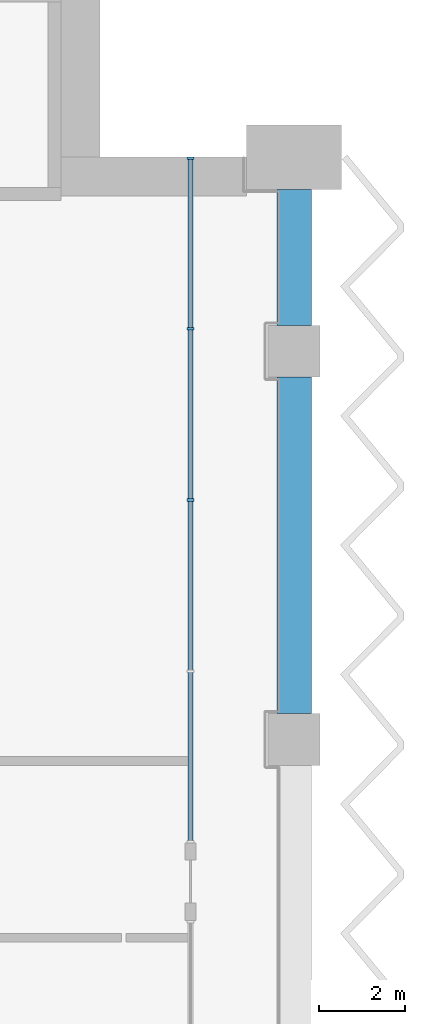
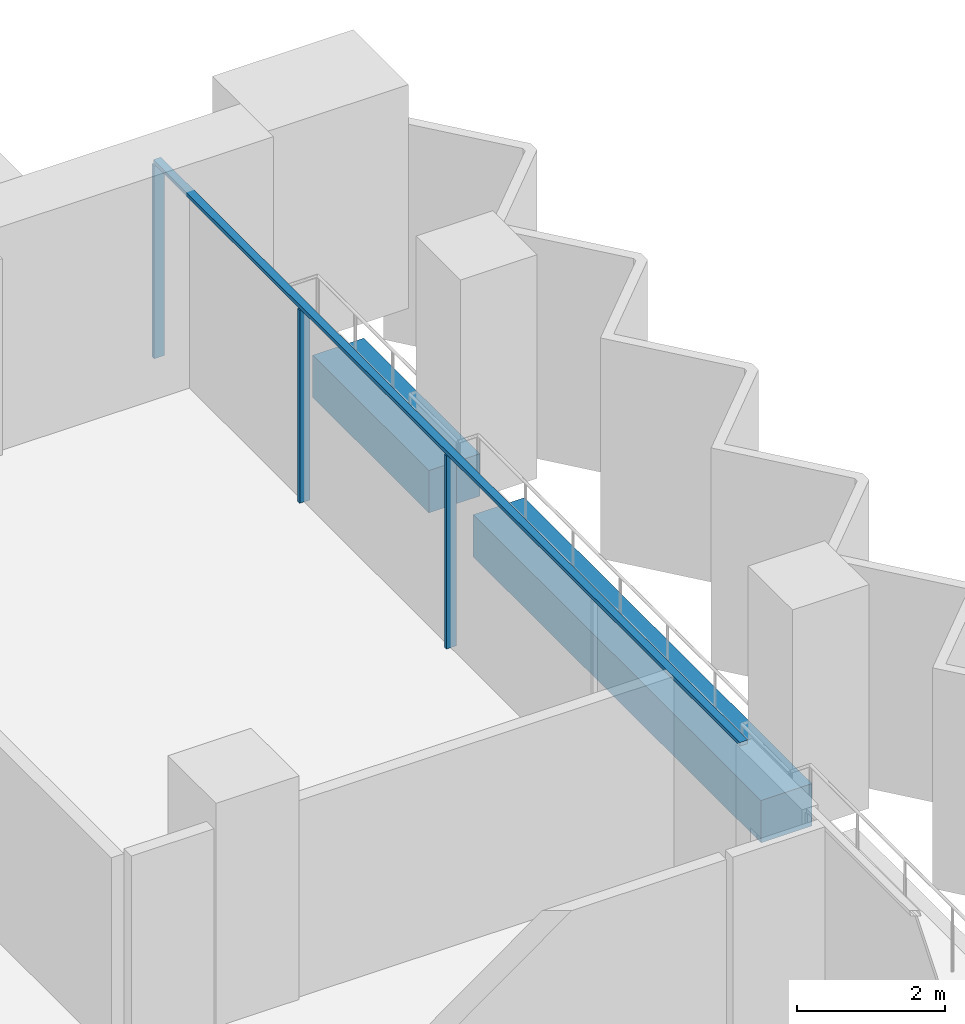
# One storey, part 6 of 23: 4 members, 2 beams, 1 element without a shape of its own.
"""IFC4 building model written with IfcOpenShell, lengths in metres."""

from ifc_helpers import new_model, si_unit, direction, frame, origin, origin_2d, place, context, subcontext, project, spatial, rectangle, extrude, material, material_profile, profile_set, type_object, element, aggregate, save


model = new_model("IFC4")

# Units and contexts
model_context = context("Model", 3, precision=1e-05, world=origin(), true_north=direction((0.0, 1.0)))
body_context = subcontext(model_context, "Body", "Model", "MODEL_VIEW")
ifc_project = project(units=[si_unit("LENGTHUNIT", "METRE"), si_unit("AREAUNIT", "SQUARE_METRE"), si_unit("VOLUMEUNIT", "CUBIC_METRE"), si_unit("PLANEANGLEUNIT", "RADIAN"), si_unit("MASSUNIT", "GRAM", prefix="KILO")], contexts=[model_context])

# Site, building, storey
site_placement = place(None, origin())
site = spatial("IfcSite", under=ifc_project, at=site_placement, CompositionType="ELEMENT")
building_placement = place(site_placement, origin())
building = spatial("IfcBuilding", under=site, at=building_placement, Name="Hunhe Ridgeline Campus", CompositionType="ELEMENT")
storey_placement = place(building_placement, frame((0.0, 0.0, 125.5)))
storey = spatial("IfcBuildingStorey", under=building, at=storey_placement, Name="L31", CompositionType="ELEMENT", Elevation=125.5)

# Curtain wall, members
ifc_material_1 = material(Name="Aluminium 6063", Category="aluminium")
curtain_wall_type = type_object("IfcCurtainWallType", Name="Curtain wall CW-1", PredefinedType="NOTDEFINED", material=ifc_material_1)
curtain_wall_placement = place(storey_placement, origin())
curtain_wall = element("IfcCurtainWall", 1, at=curtain_wall_placement, inside=storey, type_object=curtain_wall_type, Name="Curtain wall 16", PredefinedType="NOTDEFINED")
ifc_material_profile_1 = material_profile(ifc_material_1, rectangle(XDim=0.159912109375, YDim=0.06005859375, at=origin_2d()))
ifc_profile_set_1 = profile_set([ifc_material_profile_1], Name="Aluminium 6063")
member_type_1 = type_object("IfcMemberType", Name="CW-1 aluminium mullion", PredefinedType="MULLION", material=ifc_profile_set_1)
member_1_placement = place(storey_placement, frame((78.59912109375, 86.55029296875, 0.0), z_axis=(0.0, 0.0, 1.0), x_axis=(-1.0, 0.0, 0.0)))
member_1 = element("IfcMember", 2, at=member_1_placement, type_object=member_type_1, Name="CW-1 mullion 3", PredefinedType="MULLION", context=body_context, shape_type="SweptSolid", body=[
    extrude(rectangle(XDim=0.159912109375, YDim=0.06005859375, at=origin_2d()), origin(), (0.0, 0.0, 1.0), 3.18994140625),
])
member_2_placement = place(storey_placement, frame((78.59912109375, 90.525146484375, 0.0), z_axis=(0.0, 0.0, 1.0), x_axis=(-1.0, 0.0, 0.0)))
member_2 = element("IfcMember", 3, at=member_2_placement, type_object=member_type_1, Name="CW-1 mullion 4", PredefinedType="MULLION", context=body_context, shape_type="SweptSolid", body=[
    extrude(rectangle(XDim=0.159912109375, YDim=0.06005859375, at=origin_2d()), origin(), (0.0, 0.0, 1.0), 3.18994140625),
])
member_3_placement = place(storey_placement, frame((78.59912109375, 94.469970703125, 0.0), z_axis=(0.0, 0.0, 1.0), x_axis=(-1.0, 0.0, 0.0)))
member_3 = element("IfcMember", 4, at=member_3_placement, type_object=member_type_1, Name="CW-1 mullion 5", PredefinedType="MULLION", context=body_context, shape_type="SweptSolid", body=[
    extrude(rectangle(XDim=0.159912109375, YDim=0.06005859375, at=origin_2d()), origin(), (0.0, 0.0, 1.0), 3.18994140625),
])
ifc_material_profile_2 = material_profile(ifc_material_1, rectangle(XDim=0.1201171875, YDim=0.06005859375, at=origin_2d()))
ifc_profile_set_2 = profile_set([ifc_material_profile_2], Name="Aluminium 6063")
member_type_2 = type_object("IfcMemberType", Name="CW-1 aluminium transom", PredefinedType="USERDEFINED", material=ifc_profile_set_2)
member_4_placement = place(storey_placement, frame((78.59912109375, 78.6005859375, 3.219970703125), z_axis=(0.0, 1.0, 0.0), x_axis=(-1.0, 0.0, 0.0)))
member_4 = element("IfcMember", 5, at=member_4_placement, type_object=member_type_2, Name="CW-1 transom 1", ObjectType="TRANSOM", PredefinedType="USERDEFINED", context=body_context, shape_type="SweptSolid", body=[
    extrude(rectangle(XDim=0.1201171875, YDim=0.06005859375, at=origin_2d()), origin(), (0.0, 0.0, 1.0), 15.8994140625),
])
aggregate(curtain_wall, [member_4, member_1, member_2, member_3])

# Beams
ifc_material_2 = material(Name="Concrete C60", Category="concrete")
ifc_material_profile_3 = material_profile(ifc_material_2, rectangle(XDim=0.800048828125, YDim=0.699951171875, at=origin_2d()))
ifc_profile_set_3 = profile_set([ifc_material_profile_3], Name="Concrete C60")
beam_type = type_object("IfcBeamType", Name="RC spandrel beam 800x700 Concrete C60", PredefinedType="SPANDREL", material=ifc_profile_set_3)
beam_1_placement = place(storey_placement, frame((81.0, 81.60009765625, -0.60009765625), z_axis=(0.0, 1.0, 0.0), x_axis=(-1.0, 0.0, 0.0)))
element("IfcBeam", 6, at=beam_1_placement, inside=storey, type_object=beam_type, Name="Spandrel beam B1-21 L31", PredefinedType="SPANDREL", context=body_context, shape_type="SweptSolid", body=[
    extrude(rectangle(XDim=0.800048828125, YDim=0.699951171875, at=origin_2d()), origin(), (0.0, 0.0, 1.0), 7.7998046875),
])
beam_2_placement = place(storey_placement, frame((81.0, 90.60009765625, -0.60009765625), z_axis=(0.0, 1.0, 0.0), x_axis=(-1.0, 0.0, 0.0)))
element("IfcBeam", 7, at=beam_2_placement, inside=storey, type_object=beam_type, Name="Spandrel beam B1-22 L31", PredefinedType="SPANDREL", context=body_context, shape_type="SweptSolid", body=[
    extrude(rectangle(XDim=0.800048828125, YDim=0.699951171875, at=origin_2d()), origin(), (0.0, 0.0, 1.0), 3.14990234375),
])

save(model, "model.ifc")
